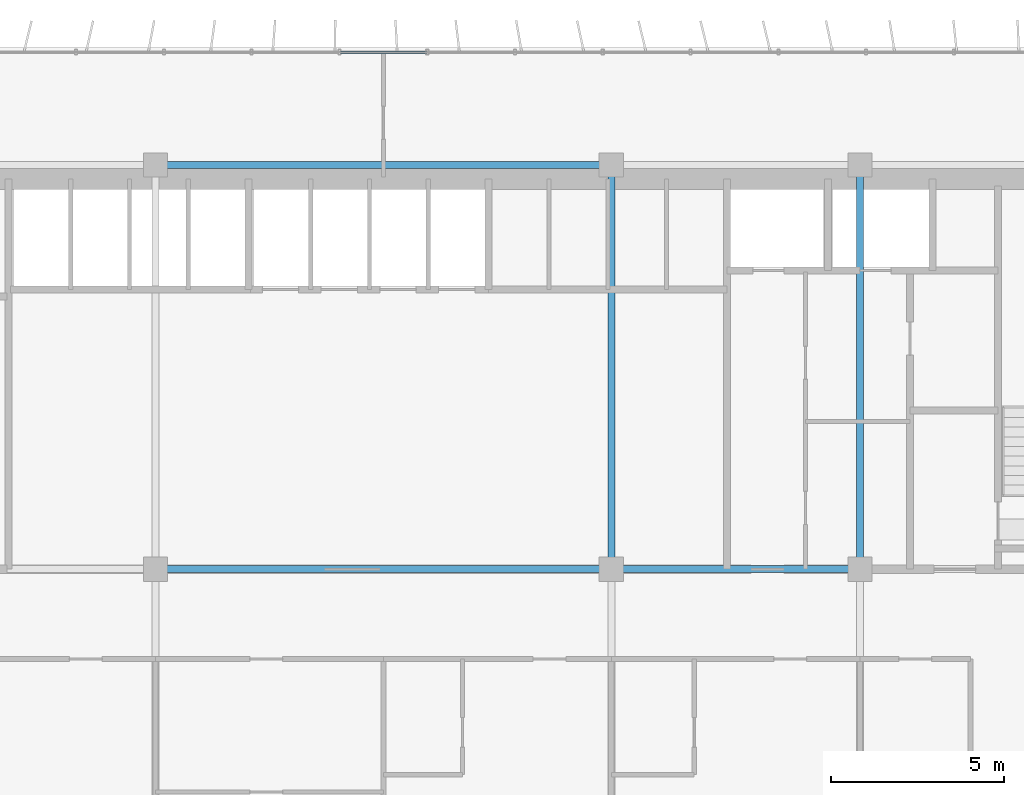
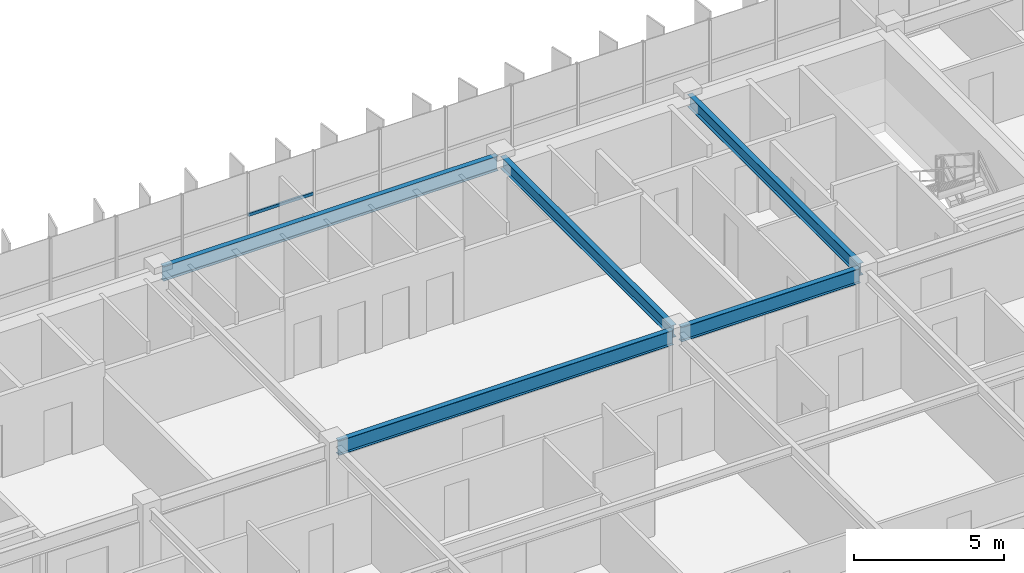
# One storey, part 8 of 22: 5 beams, 1 member, 1 element without a shape of its own.
"""IFC4 building model written with IfcOpenShell, lengths in metres."""

from ifc_helpers import new_model, si_unit, direction, frame, origin, origin_2d, place, context, subcontext, project, spatial, hollow_rectangle, i_section, extrude, source, transform, mapped, material, material_profile, profile_set, type_object, element, aggregate, save


model = new_model("IFC4")

# Units and contexts
model_context = context("Model", 3, precision=1e-05, world=origin(), true_north=direction((0.0, 1.0)))
body_context = subcontext(model_context, "Body", "Model", "MODEL_VIEW")
ifc_project = project(units=[si_unit("LENGTHUNIT", "METRE"), si_unit("AREAUNIT", "SQUARE_METRE"), si_unit("VOLUMEUNIT", "CUBIC_METRE"), si_unit("PLANEANGLEUNIT", "RADIAN"), si_unit("MASSUNIT", "GRAM", prefix="KILO")], contexts=[model_context])

# Site, building, storey
site_placement = place(None, origin())
site = spatial("IfcSite", under=ifc_project, at=site_placement, CompositionType="ELEMENT")
building_placement = place(site_placement, origin())
building = spatial("IfcBuilding", under=site, at=building_placement, Name="Trelvane Seafront Commons", CompositionType="ELEMENT")
storey_placement = place(building_placement, frame((0.0, 0.0, 132.10009765625)))
storey = spatial("IfcBuildingStorey", under=building, at=storey_placement, Name="L34", CompositionType="ELEMENT", Elevation=132.10009765625)

# Beams
ifc_material_1 = material(Name="Steel SM355 (S355)", Category="steel")
ifc_material_profile_1 = material_profile(ifc_material_1, i_section(OverallWidth=0.199951171875, OverallDepth=0.5, WebThickness=0.010009765625, FlangeThickness=0.01611328125, at=origin_2d()), Name="H-500x200x10x16")
ifc_profile_set_1 = profile_set([ifc_material_profile_1], Name="Steel SM355 (S355)")
beam_type_1 = type_object("IfcBeamType", Name="STR-BM-H500", PredefinedType="BEAM", material=ifc_profile_set_1)
shared_shape_1 = source(origin(), body_context, "Body", "SweptSolid", [
    extrude(i_section(OverallWidth=0.199951171875, OverallDepth=0.5, WebThickness=0.010009765625, FlangeThickness=0.01611328125, at=origin_2d()), origin(), (0.0, 0.0, 1.0), 11.39990234375),
])
for number, where, z_axis, x_axis, name in (
    (1, (43.800048828125, 33.550048828125, 3.099853515625), (0.0, 1.0, 0.0), (-1.0, 0.0, 0.0), "L34 Primary Girder G-43"),
    (2, (51.0, 33.550048828125, 3.099853515625), (0.0, 1.0, 0.0), (-1.0, 0.0, 0.0), "L34 Primary Girder G-46"),
):
    element("IfcBeam", number, at=place(storey_placement, frame(where, z_axis=z_axis, x_axis=x_axis)), inside=storey, type_object=beam_type_1, Name=name, PredefinedType="BEAM", context=body_context, shape_type="MappedRepresentation", body=[
        mapped(shared_shape_1, transform((0.0, 0.0, 0.0), x_axis=(1.0, 0.0, 0.0), y_axis=(0.0, 1.0, 0.0), z_axis=(0.0, 0.0, 1.0), scale=1.0)),
    ])
ifc_material_profile_2 = material_profile(ifc_material_1, i_section(OverallWidth=0.199951171875, OverallDepth=0.60009765625, WebThickness=0.010986328125, FlangeThickness=0.01708984375, at=origin_2d()), Name="H-600x200x11x17")
ifc_profile_set_2 = profile_set([ifc_material_profile_2], Name="Steel SM355 (S355)")
beam_type_2 = type_object("IfcBeamType", Name="STR-SPD-H600", PredefinedType="SPANDREL", material=ifc_profile_set_2)
shared_shape_2 = source(origin(), body_context, "Body", "SweptSolid", [
    extrude(i_section(OverallWidth=0.199951171875, OverallDepth=0.60009765625, WebThickness=0.010986328125, FlangeThickness=0.01708984375, at=origin_2d()), origin(), (0.0, 0.0, 1.0), 12.89990234375),
])
for number, where, z_axis, x_axis, name in (
    (3, (30.75, 33.39990234375, 3.0498046875), (1.0, 0.0, 0.0), (0.0, 1.0, 0.0), "L34 Primary Girder G-18"),
    (4, (30.75, 45.10009765625, 3.0498046875), (1.0, 0.0, 0.0), (0.0, 1.0, 0.0), "L34 Primary Girder G-25"),
):
    element("IfcBeam", number, at=place(storey_placement, frame(where, z_axis=z_axis, x_axis=x_axis)), inside=storey, type_object=beam_type_2, Name=name, PredefinedType="SPANDREL", context=body_context, shape_type="MappedRepresentation", body=[
        mapped(shared_shape_2, transform((0.0, 0.0, 0.0), x_axis=(1.0, 0.0, 0.0), y_axis=(0.0, 1.0, 0.0), z_axis=(0.0, 0.0, 1.0), scale=1.0)),
    ])
shared_shape_3 = source(origin(), body_context, "Body", "SweptSolid", [
    extrude(i_section(OverallWidth=0.199951171875, OverallDepth=0.60009765625, WebThickness=0.010986328125, FlangeThickness=0.01708984375, at=origin_2d()), origin(), (0.0, 0.0, 1.0), 6.900146484375),
])
beam_placement = place(storey_placement, frame((43.949951171875, 33.39990234375, 3.0498046875), z_axis=(1.0, 0.0, 0.0), x_axis=(0.0, 1.0, 0.0)))
element("IfcBeam", 5, at=beam_placement, inside=storey, type_object=beam_type_2, Name="L34 Primary Girder G-19", PredefinedType="SPANDREL", context=body_context, shape_type="MappedRepresentation", body=[
    mapped(shared_shape_3, transform((0.0, 0.0, 0.0), x_axis=(1.0, 0.0, 0.0), y_axis=(0.0, 1.0, 0.0), z_axis=(0.0, 0.0, 1.0), scale=1.0)),
])

# Curtain wall, member
ifc_material_2 = material(Name="Anodised pale-silver aluminium", Category="aluminium")
curtain_wall_type = type_object("IfcCurtainWallType", Name="ARCH-CW5-UPTOWER", PredefinedType="NOTDEFINED", material=ifc_material_2)
curtain_wall_placement = place(storey_placement, origin())
curtain_wall = element("IfcCurtainWall", 6, at=curtain_wall_placement, inside=storey, type_object=curtain_wall_type, Name="CW-L34-0061", PredefinedType="NOTDEFINED")
ifc_material_profile_3 = material_profile(ifc_material_2, hollow_rectangle(XDim=0.070068359375, YDim=0.1201171875, WallThickness=0.00390625, at=origin_2d()), Name="TRAN-70x120x4")
ifc_profile_set_3 = profile_set([ifc_material_profile_3], Name="Anodised pale-silver aluminium")
member_type = type_object("IfcMemberType", Name="ARCH-CW-TRAN-120", PredefinedType="USERDEFINED", material=ifc_profile_set_3)
shared_shape_4 = source(origin(), body_context, "Body", "SweptSolid", [
    extrude(hollow_rectangle(XDim=0.070068359375, YDim=0.1201171875, WallThickness=0.00390625, at=origin_2d()), origin(), (0.0, 0.0, 1.0), 2.51708984375),
])
member_placement = place(storey_placement, frame((35.94140625, 48.3701171875, 1.60791015625), z_axis=(1.0, 0.0, 0.0), x_axis=(0.0, 1.0, 0.0)))
member = element("IfcMember", 7, at=member_placement, type_object=member_type, Name="CW-L34-0061-T08", ObjectType="TRANSOM", PredefinedType="USERDEFINED", context=body_context, shape_type="MappedRepresentation", body=[
    mapped(shared_shape_4, transform((0.0, 0.0, 0.0), x_axis=(1.0, 0.0, 0.0), y_axis=(0.0, 1.0, 0.0), z_axis=(0.0, 0.0, 1.0), scale=1.0)),
])
aggregate(curtain_wall, [member])

save(model, "model.ifc")
